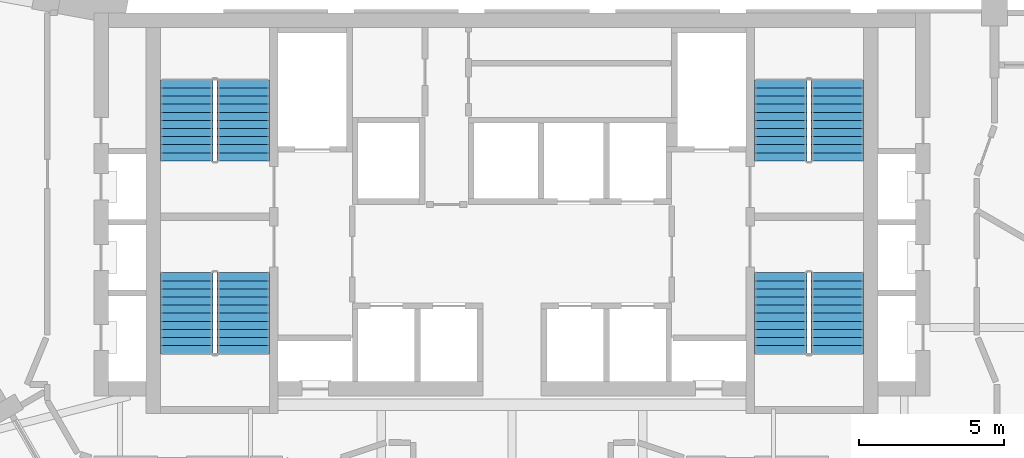
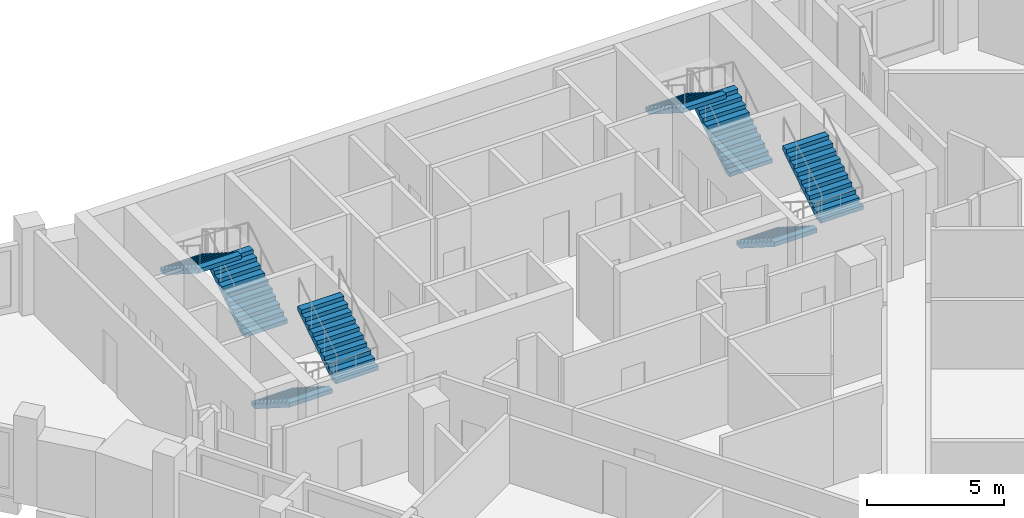
# One storey, part 8 of 9: 8 stair flights, 4 elements without a shape of their own.
"""IFC4 building model written with IfcOpenShell, lengths in metres."""

from ifc_helpers import new_model, si_unit, direction, frame, origin, place, context, subcontext, project, spatial, faceted_brep, source, transform, mapped, material, type_object, element, aggregate, save


model = new_model("IFC4")

# Units and contexts
model_context = context("Model", 3, precision=1e-05, world=origin(), true_north=direction((0.0, 1.0)))
body_context = subcontext(model_context, "Body", "Model", "MODEL_VIEW")
ifc_project = project(units=[si_unit("LENGTHUNIT", "METRE"), si_unit("AREAUNIT", "SQUARE_METRE"), si_unit("VOLUMEUNIT", "CUBIC_METRE"), si_unit("PLANEANGLEUNIT", "RADIAN"), si_unit("MASSUNIT", "GRAM", prefix="KILO")], contexts=[model_context])

# Site, building, storey
site_placement = place(None, origin())
site = spatial("IfcSite", under=ifc_project, at=site_placement, CompositionType="ELEMENT")
building_placement = place(site_placement, origin())
building = spatial("IfcBuilding", under=site, at=building_placement, Name="Calabash Gate Tower", CompositionType="ELEMENT")
storey_placement = place(building_placement, frame((0.0, 0.0, 215.89990234375)))
storey = spatial("IfcBuildingStorey", under=building, at=storey_placement, Name="L51", CompositionType="ELEMENT", Elevation=215.89990234375)

# Stair, stair flights
ifc_material_1 = material(Name="Concrete C40/50", Category="concrete")
stair_type = type_object("IfcStairType", Name="Exit stair 22 risers of 177.3 mm", PredefinedType="HALF_TURN_STAIR", material=ifc_material_1)
stair_1_placement = place(storey_placement, origin())
stair_1 = element("IfcStair", 1, at=stair_1_placement, inside=storey, type_object=stair_type, Name="L51 Exit stair ST1", PredefinedType="HALF_TURN_STAIR")
ifc_material_2 = material(Name="Concrete C40/50", Category="concrete")
stair_flight_type = type_object("IfcStairFlightType", Name="Exit stair flight SFL", PredefinedType="STRAIGHT", material=ifc_material_2)
shared_shape = source(origin(), body_context, "Body", "Brep", [
    faceted_brep([(-0.0009765625, -0.89990234375, 0.0), (0.279541015625, -0.89990234375, 0.0), (2.791015625, -0.89990234375, 1.59521484375), (-0.0009765625, 0.89990234375, 0.0), (2.791015625, 0.89990234375, 1.59521484375), (0.279541015625, 0.89990234375, 0.0), (2.791015625, -0.89990234375, 1.78466796875), (2.7900390625, -0.89990234375, 1.78466796875), (2.7900390625, 0.89990234375, 1.78466796875), (2.791015625, 0.89990234375, 1.78466796875), (2.7900390625, -0.89990234375, 1.772705078125), (2.7900390625, 0.89990234375, 1.772705078125), (2.510986328125, -0.89990234375, 1.772705078125), (2.510986328125, 0.89990234375, 1.772705078125), (2.510986328125, -0.89990234375, 1.595458984375), (2.510986328125, 0.89990234375, 1.595458984375), (2.23193359375, -0.89990234375, 1.595458984375), (2.23193359375, 0.89990234375, 1.595458984375), (2.23193359375, -0.89990234375, 1.418212890625), (2.23193359375, 0.89990234375, 1.418212890625), (1.952880859375, -0.89990234375, 1.418212890625), (1.952880859375, -0.89990234375, 1.240966796875), (1.952880859375, 0.89990234375, 1.240966796875), (1.952880859375, 0.89990234375, 1.418212890625), (1.674072265625, -0.89990234375, 1.240966796875), (1.674072265625, -0.89990234375, 1.063720703125), (1.674072265625, 0.89990234375, 1.063720703125), (1.674072265625, 0.89990234375, 1.240966796875), (1.39501953125, -0.89990234375, 1.063720703125), (1.39501953125, -0.89990234375, 0.886474609375), (1.39501953125, 0.89990234375, 0.886474609375), (1.39501953125, 0.89990234375, 1.063720703125), (1.115966796875, -0.89990234375, 0.886474609375), (1.115966796875, -0.89990234375, 0.708984375), (1.115966796875, 0.89990234375, 0.708984375), (1.115966796875, 0.89990234375, 0.886474609375), (0.8369140625, -0.89990234375, 0.708984375), (0.8369140625, -0.89990234375, 0.53173828125), (0.8369140625, 0.89990234375, 0.53173828125), (0.8369140625, 0.89990234375, 0.708984375), (0.55810546875, -0.89990234375, 0.53173828125), (0.55810546875, -0.89990234375, 0.3544921875), (0.55810546875, 0.89990234375, 0.3544921875), (0.55810546875, 0.89990234375, 0.53173828125), (0.279052734375, -0.89990234375, 0.3544921875), (0.279052734375, -0.89990234375, 0.17724609375), (0.279052734375, 0.89990234375, 0.17724609375), (0.279052734375, 0.89990234375, 0.3544921875), (-0.0009765625, -0.89990234375, 0.17724609375), (-0.0009765625, 0.89990234375, 0.17724609375), (0.279541015625, -0.360107421875, 0.0), (2.791015625, -0.360107421875, 1.59521484375), (0.279541015625, 0.0, 0.0), (2.791015625, 0.0, 1.59521484375), (0.279541015625, 0.360107421875, 0.0), (2.791015625, 0.360107421875, 1.59521484375), (2.791015625, -0.360107421875, 1.78466796875), (2.791015625, 0.0, 1.78466796875), (2.791015625, 0.360107421875, 1.78466796875), (2.7900390625, -0.360107421875, 1.78466796875), (2.7900390625, 0.0, 1.78466796875), (2.7900390625, 0.360107421875, 1.78466796875), (2.7900390625, -0.360107421875, 1.772705078125), (2.7900390625, 0.0, 1.772705078125), (2.7900390625, 0.360107421875, 1.772705078125), (2.510986328125, -0.360107421875, 1.772705078125), (2.510986328125, 0.0, 1.772705078125), (2.510986328125, 0.360107421875, 1.772705078125), (2.510986328125, -0.360107421875, 1.595458984375), (2.510986328125, 0.0, 1.595458984375), (2.510986328125, 0.360107421875, 1.595458984375), (2.23193359375, -0.360107421875, 1.595458984375), (2.23193359375, 0.0, 1.595458984375), (2.23193359375, 0.360107421875, 1.595458984375), (2.23193359375, -0.360107421875, 1.418212890625), (2.23193359375, 0.0, 1.418212890625), (2.23193359375, 0.360107421875, 1.418212890625), (1.952880859375, -0.360107421875, 1.418212890625), (1.952880859375, 0.0, 1.418212890625), (1.952880859375, 0.360107421875, 1.418212890625), (1.952880859375, -0.360107421875, 1.240966796875), (1.952880859375, 0.0, 1.240966796875), (1.952880859375, 0.360107421875, 1.240966796875), (1.674072265625, -0.360107421875, 1.240966796875), (1.674072265625, 0.0, 1.240966796875), (1.674072265625, 0.360107421875, 1.240966796875), (1.674072265625, -0.360107421875, 1.063720703125), (1.674072265625, 0.0, 1.063720703125), (1.674072265625, 0.360107421875, 1.063720703125), (1.39501953125, -0.360107421875, 1.063720703125), (1.39501953125, 0.0, 1.063720703125), (1.39501953125, 0.360107421875, 1.063720703125), (1.39501953125, -0.360107421875, 0.886474609375), (1.39501953125, 0.0, 0.886474609375), (1.39501953125, 0.360107421875, 0.886474609375), (1.115966796875, -0.360107421875, 0.886474609375), (1.115966796875, 0.0, 0.886474609375), (1.115966796875, 0.360107421875, 0.886474609375), (1.115966796875, -0.360107421875, 0.708984375), (1.115966796875, 0.0, 0.708984375), (1.115966796875, 0.360107421875, 0.708984375), (0.8369140625, -0.360107421875, 0.708984375), (0.8369140625, 0.0, 0.708984375), (0.8369140625, 0.360107421875, 0.708984375), (0.8369140625, -0.360107421875, 0.53173828125), (0.8369140625, 0.0, 0.53173828125), (0.8369140625, 0.360107421875, 0.53173828125), (0.55810546875, -0.360107421875, 0.53173828125), (0.55810546875, 0.0, 0.53173828125), (0.55810546875, 0.360107421875, 0.53173828125), (0.55810546875, -0.360107421875, 0.3544921875), (0.55810546875, 0.0, 0.3544921875), (0.55810546875, 0.360107421875, 0.3544921875), (0.279052734375, -0.360107421875, 0.3544921875), (0.279052734375, 0.0, 0.3544921875), (0.279052734375, 0.360107421875, 0.3544921875), (0.279052734375, -0.360107421875, 0.17724609375), (0.279052734375, 0.0, 0.17724609375), (0.279052734375, 0.360107421875, 0.17724609375), (-0.0009765625, -0.360107421875, 0.17724609375), (-0.0009765625, 0.0, 0.17724609375), (-0.0009765625, 0.360107421875, 0.17724609375), (-0.0009765625, -0.360107421875, 0.0), (-0.0009765625, 0.0, 0.0), (-0.0009765625, 0.360107421875, 0.0)], [[[0, 1, 2]], [[3, 4, 5]], [[2, 6, 7]], [[4, 8, 9]], [[2, 7, 10]], [[4, 11, 8]], [[2, 10, 12]], [[4, 13, 11]], [[2, 12, 14]], [[4, 15, 13]], [[2, 14, 16]], [[4, 17, 15]], [[2, 16, 18]], [[4, 19, 17]], [[18, 20, 21]], [[19, 22, 23]], [[2, 18, 21]], [[4, 22, 19]], [[21, 24, 25]], [[22, 26, 27]], [[2, 21, 25]], [[4, 26, 22]], [[25, 28, 29]], [[26, 30, 31]], [[2, 25, 29]], [[4, 30, 26]], [[29, 32, 33]], [[30, 34, 35]], [[2, 29, 33]], [[4, 34, 30]], [[33, 36, 37]], [[34, 38, 39]], [[2, 33, 37]], [[4, 38, 34]], [[37, 40, 41]], [[38, 42, 43]], [[2, 37, 41]], [[4, 42, 38]], [[41, 44, 45]], [[42, 46, 47]], [[2, 41, 45]], [[4, 46, 42]], [[0, 2, 45]], [[3, 46, 4]], [[45, 48, 0]], [[46, 3, 49]], [[1, 50, 2]], [[50, 51, 2]], [[50, 52, 51]], [[52, 53, 51]], [[52, 54, 55]], [[52, 55, 53]], [[54, 5, 4]], [[54, 4, 55]], [[2, 51, 6]], [[51, 56, 6]], [[51, 53, 56]], [[53, 57, 56]], [[53, 55, 58]], [[53, 58, 57]], [[55, 4, 9]], [[55, 9, 58]], [[6, 56, 7]], [[56, 59, 7]], [[56, 57, 59]], [[57, 60, 59]], [[57, 58, 61]], [[57, 61, 60]], [[58, 9, 8]], [[58, 8, 61]], [[7, 59, 10]], [[59, 62, 10]], [[59, 60, 62]], [[60, 63, 62]], [[60, 61, 64]], [[60, 64, 63]], [[61, 8, 11]], [[61, 11, 64]], [[10, 62, 12]], [[62, 65, 12]], [[62, 63, 65]], [[63, 66, 65]], [[63, 64, 67]], [[63, 67, 66]], [[64, 11, 13]], [[64, 13, 67]], [[12, 65, 14]], [[65, 68, 14]], [[65, 66, 68]], [[66, 69, 68]], [[66, 67, 70]], [[66, 70, 69]], [[67, 13, 15]], [[67, 15, 70]], [[14, 68, 16]], [[68, 71, 16]], [[68, 69, 71]], [[69, 72, 71]], [[69, 70, 73]], [[69, 73, 72]], [[70, 15, 17]], [[70, 17, 73]], [[16, 71, 18]], [[71, 74, 18]], [[71, 72, 74]], [[72, 75, 74]], [[72, 73, 76]], [[72, 76, 75]], [[73, 17, 19]], [[73, 19, 76]], [[18, 74, 20]], [[74, 77, 20]], [[74, 75, 77]], [[75, 78, 77]], [[75, 76, 79]], [[75, 79, 78]], [[76, 19, 23]], [[76, 23, 79]], [[20, 77, 21]], [[77, 80, 21]], [[77, 78, 80]], [[78, 81, 80]], [[78, 79, 82]], [[78, 82, 81]], [[79, 23, 22]], [[79, 22, 82]], [[21, 80, 24]], [[80, 83, 24]], [[80, 81, 83]], [[81, 84, 83]], [[81, 82, 85]], [[81, 85, 84]], [[82, 22, 27]], [[82, 27, 85]], [[24, 83, 25]], [[83, 86, 25]], [[83, 84, 86]], [[84, 87, 86]], [[84, 85, 88]], [[84, 88, 87]], [[85, 27, 26]], [[85, 26, 88]], [[25, 86, 28]], [[86, 89, 28]], [[86, 87, 89]], [[87, 90, 89]], [[87, 88, 91]], [[87, 91, 90]], [[88, 26, 31]], [[88, 31, 91]], [[28, 89, 29]], [[89, 92, 29]], [[89, 90, 92]], [[90, 93, 92]], [[90, 91, 94]], [[90, 94, 93]], [[91, 31, 30]], [[91, 30, 94]], [[29, 92, 32]], [[92, 95, 32]], [[92, 93, 95]], [[93, 96, 95]], [[93, 94, 97]], [[93, 97, 96]], [[94, 30, 35]], [[94, 35, 97]], [[32, 95, 33]], [[95, 98, 33]], [[95, 96, 98]], [[96, 99, 98]], [[96, 97, 100]], [[96, 100, 99]], [[97, 35, 34]], [[97, 34, 100]], [[33, 98, 36]], [[98, 101, 36]], [[98, 99, 101]], [[99, 102, 101]], [[99, 100, 103]], [[99, 103, 102]], [[100, 34, 39]], [[100, 39, 103]], [[36, 101, 37]], [[101, 104, 37]], [[101, 102, 104]], [[102, 105, 104]], [[102, 103, 106]], [[102, 106, 105]], [[103, 39, 38]], [[103, 38, 106]], [[37, 104, 40]], [[104, 107, 40]], [[104, 105, 107]], [[105, 108, 107]], [[105, 106, 109]], [[105, 109, 108]], [[106, 38, 43]], [[106, 43, 109]], [[40, 107, 41]], [[107, 110, 41]], [[107, 108, 110]], [[108, 111, 110]], [[108, 109, 112]], [[108, 112, 111]], [[109, 43, 42]], [[109, 42, 112]], [[41, 110, 44]], [[110, 113, 44]], [[110, 111, 113]], [[111, 114, 113]], [[111, 112, 115]], [[111, 115, 114]], [[112, 42, 47]], [[112, 47, 115]], [[44, 113, 45]], [[113, 116, 45]], [[113, 114, 116]], [[114, 117, 116]], [[114, 115, 118]], [[114, 118, 117]], [[115, 47, 46]], [[115, 46, 118]], [[45, 116, 48]], [[116, 119, 48]], [[116, 117, 119]], [[117, 120, 119]], [[117, 118, 121]], [[117, 121, 120]], [[118, 46, 49]], [[118, 49, 121]], [[48, 119, 0]], [[119, 122, 0]], [[119, 120, 122]], [[120, 123, 122]], [[120, 121, 124]], [[120, 124, 123]], [[121, 49, 3]], [[121, 3, 124]], [[0, 122, 1]], [[122, 50, 1]], [[122, 123, 50]], [[123, 52, 50]], [[123, 124, 54]], [[123, 54, 52]], [[124, 3, 5]], [[124, 5, 54]]]),
])
stair_flight_1_placement = place(storey_placement, frame((-9.25, 13.95263671875, 0.0), z_axis=(0.0, 0.0, 1.0), x_axis=(0.0, 1.0, 0.0)))
stair_flight_1 = element("IfcStairFlight", 2, at=stair_flight_1_placement, type_object=stair_flight_type, Name="ST1 flight 1", NumberOfRisers=11, NumberOfTreads=10, PredefinedType="STRAIGHT", RiserHeight=0.177272727, TreadLength=0.279, context=body_context, shape_type="MappedRepresentation", body=[
    mapped(shared_shape, transform((0.0, 0.0, 0.0), scale=1.0)),
])
stair_flight_2_placement = place(storey_placement, frame((-11.199951171875, 16.74267578125, 1.9501953125), z_axis=(0.0, 0.0, 1.0), x_axis=(0.0, -1.0, 0.0)))
stair_flight_2 = element("IfcStairFlight", 3, at=stair_flight_2_placement, type_object=stair_flight_type, Name="ST1 flight 2", NumberOfRisers=11, NumberOfTreads=10, PredefinedType="STRAIGHT", RiserHeight=0.177272727, TreadLength=0.279, context=body_context, shape_type="MappedRepresentation", body=[
    mapped(shared_shape, transform((0.0, 0.0, 0.0), scale=1.0)),
])
aggregate(stair_1, [stair_flight_1, stair_flight_2])

stair_2_placement = place(storey_placement, origin())
stair_2 = element("IfcStair", 4, at=stair_2_placement, inside=storey, type_object=stair_type, Name="L51 Exit stair ST2", PredefinedType="HALF_TURN_STAIR")
stair_flight_3_placement = place(storey_placement, frame((-11.199951171875, 10.1025390625, 0.0), z_axis=(0.0, 0.0, 1.0), x_axis=(0.0, -1.0, 0.0)))
stair_flight_3 = element("IfcStairFlight", 5, at=stair_flight_3_placement, type_object=stair_flight_type, Name="ST2 flight 1", NumberOfRisers=11, NumberOfTreads=10, PredefinedType="STRAIGHT", RiserHeight=0.177272727, TreadLength=0.279, context=body_context, shape_type="MappedRepresentation", body=[
    mapped(shared_shape, transform((0.0, 0.0, 0.0), scale=1.0)),
])
stair_flight_4_placement = place(storey_placement, frame((-9.25, 7.3125, 1.9501953125), z_axis=(0.0, 0.0, 1.0), x_axis=(0.0, 1.0, 0.0)))
stair_flight_4 = element("IfcStairFlight", 6, at=stair_flight_4_placement, type_object=stair_flight_type, Name="ST2 flight 2", NumberOfRisers=11, NumberOfTreads=10, PredefinedType="STRAIGHT", RiserHeight=0.177272727, TreadLength=0.279, context=body_context, shape_type="MappedRepresentation", body=[
    mapped(shared_shape, transform((0.0, 0.0, 0.0), scale=1.0)),
])
aggregate(stair_2, [stair_flight_3, stair_flight_4])

stair_3_placement = place(storey_placement, origin())
stair_3 = element("IfcStair", 7, at=stair_3_placement, inside=storey, type_object=stair_type, Name="L51 Exit stair ST3", PredefinedType="HALF_TURN_STAIR")
stair_flight_5_placement = place(storey_placement, frame((11.199951171875, 13.95263671875, 0.0), z_axis=(0.0, 0.0, 1.0), x_axis=(0.0, 1.0, 0.0)))
stair_flight_5 = element("IfcStairFlight", 8, at=stair_flight_5_placement, type_object=stair_flight_type, Name="ST3 flight 1", NumberOfRisers=11, NumberOfTreads=10, PredefinedType="STRAIGHT", RiserHeight=0.177272727, TreadLength=0.279, context=body_context, shape_type="MappedRepresentation", body=[
    mapped(shared_shape, transform((0.0, 0.0, 0.0), scale=1.0)),
])
stair_flight_6_placement = place(storey_placement, frame((9.25, 16.74267578125, 1.9501953125), z_axis=(0.0, 0.0, 1.0), x_axis=(0.0, -1.0, 0.0)))
stair_flight_6 = element("IfcStairFlight", 9, at=stair_flight_6_placement, type_object=stair_flight_type, Name="ST3 flight 2", NumberOfRisers=11, NumberOfTreads=10, PredefinedType="STRAIGHT", RiserHeight=0.177272727, TreadLength=0.279, context=body_context, shape_type="MappedRepresentation", body=[
    mapped(shared_shape, transform((0.0, 0.0, 0.0), scale=1.0)),
])
aggregate(stair_3, [stair_flight_5, stair_flight_6])

stair_4_placement = place(storey_placement, origin())
stair_4 = element("IfcStair", 10, at=stair_4_placement, inside=storey, type_object=stair_type, Name="L51 Exit stair ST4", PredefinedType="HALF_TURN_STAIR")
stair_flight_7_placement = place(storey_placement, frame((9.25, 10.1025390625, 0.0), z_axis=(0.0, 0.0, 1.0), x_axis=(0.0, -1.0, 0.0)))
stair_flight_7 = element("IfcStairFlight", 11, at=stair_flight_7_placement, type_object=stair_flight_type, Name="ST4 flight 1", NumberOfRisers=11, NumberOfTreads=10, PredefinedType="STRAIGHT", RiserHeight=0.177272727, TreadLength=0.279, context=body_context, shape_type="MappedRepresentation", body=[
    mapped(shared_shape, transform((0.0, 0.0, 0.0), scale=1.0)),
])
stair_flight_8_placement = place(storey_placement, frame((11.199951171875, 7.3125, 1.9501953125), z_axis=(0.0, 0.0, 1.0), x_axis=(0.0, 1.0, 0.0)))
stair_flight_8 = element("IfcStairFlight", 12, at=stair_flight_8_placement, type_object=stair_flight_type, Name="ST4 flight 2", NumberOfRisers=11, NumberOfTreads=10, PredefinedType="STRAIGHT", RiserHeight=0.177272727, TreadLength=0.279, context=body_context, shape_type="MappedRepresentation", body=[
    mapped(shared_shape, transform((0.0, 0.0, 0.0), scale=1.0)),
])
aggregate(stair_4, [stair_flight_7, stair_flight_8])

save(model, "model.ifc")
